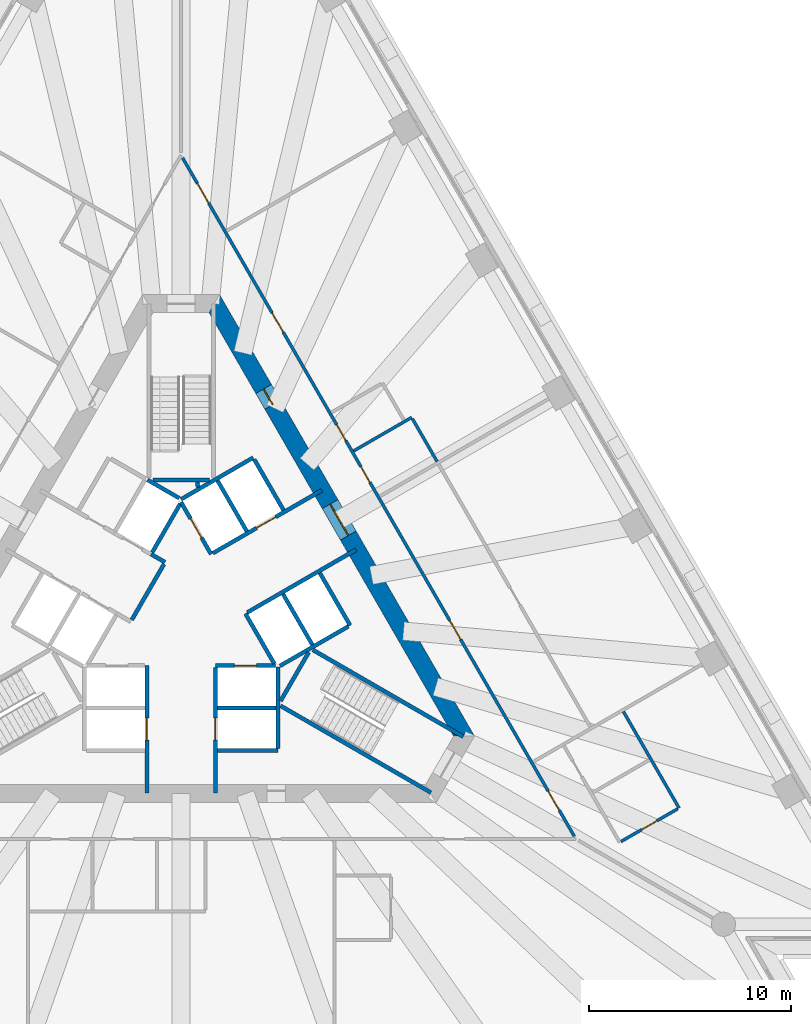
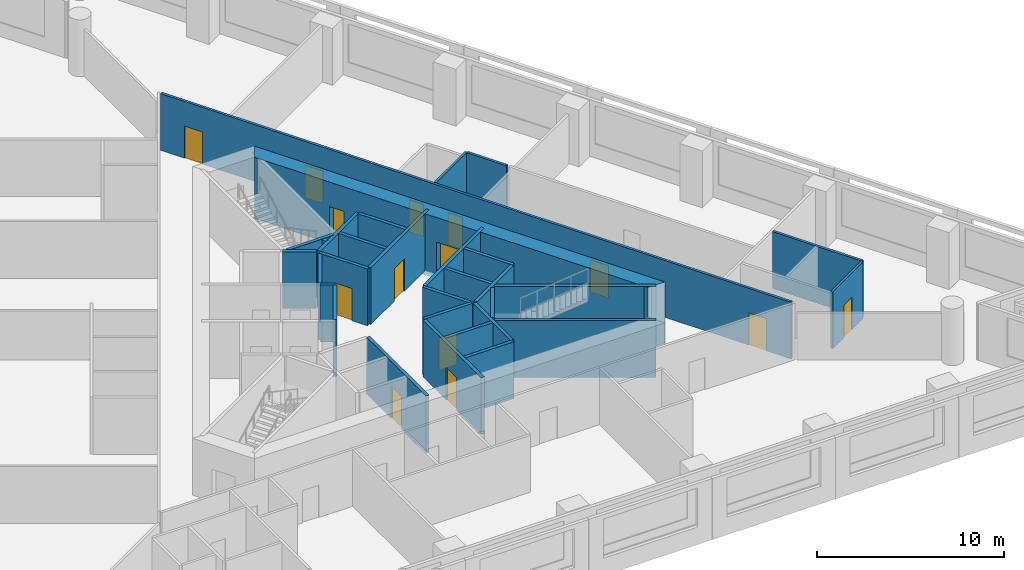
# One storey, part 6 of 11: 31 walls, 14 doors, 14 openings.
"""IFC4 building model written with IfcOpenShell, lengths in metres."""

import ifcopenshell
import ifcopenshell.guid

model = None  # the IFC model being written
_history = None  # IfcOwnerHistory: only IFC2X3 demands one
_inside = {}  # id of a spatial element -> (the spatial element, [elements in it])
_under = {}  # id of a project, library or spatial element -> (it, [spatial elements below it])
_declared = {}  # id of a project -> (the project, [libraries it declares])
_typed = {}  # id of a type object -> (the type object, [elements of that type])
_made_of = {}  # id of a material, layer set ... -> (it, [elements and type objects made of it])


def new_model(schema):
    """Start an empty IFC model of exactly this schema.

    Asked for "IFC4X3", IfcOpenShell would pick the latest addendum, in which some entities
    have other attributes; the version numbers below select the first issue.
    IFC2X3 requires an IfcOwnerHistory on every rooted entity: one is made here for all.
    """
    global model, _history
    if schema == "IFC4X3":
        model = ifcopenshell.file(schema_version=(4, 3, 0, 0))
    else:
        model = ifcopenshell.file(schema=schema)
    _inside.clear()
    _under.clear()
    _declared.clear()
    _typed.clear()
    _made_of.clear()
    _history = None
    if model.schema == "IFC2X3":
        org = make("IfcOrganization", Name="unknown")
        user = make(
            "IfcPersonAndOrganization",
            ThePerson=make("IfcPerson", FamilyName="unknown"),
            TheOrganization=org,
        )
        app = make(
            "IfcApplication",
            ApplicationDeveloper=org,
            Version="unknown",
            ApplicationFullName="unknown",
            ApplicationIdentifier="unknown",
        )
        _history = make(
            "IfcOwnerHistory",
            OwningUser=user,
            OwningApplication=app,
            ChangeAction="ADDED",
            CreationDate=0,
        )
    return model


def make(cls, **values):
    """One entity of the class cls with the attributes given. An attribute that is None is left unset."""
    return model.create_entity(
        cls, **{name: value for name, value in values.items() if value is not None}
    )


def rooted(cls, **values):
    """An entity with a GlobalId (a new one), such as an element, a storey or a relation."""
    return make(cls, GlobalId=ifcopenshell.guid.new(), OwnerHistory=_history, **values)


def si_unit(unit_type, name, prefix=None):
    """IfcSIUnit, for example si_unit("LENGTHUNIT", "METRE", prefix="MILLI")."""
    return make("IfcSIUnit", UnitType=unit_type, Prefix=prefix, Name=name)


def assignment(units):
    """IfcUnitAssignment: the units of a project."""
    return None if units is None else make("IfcUnitAssignment", Units=units)


def point(xyz):
    """IfcCartesianPoint."""
    return None if xyz is None else make("IfcCartesianPoint", Coordinates=xyz)


def direction(xyz):
    """IfcDirection."""
    return None if xyz is None else make("IfcDirection", DirectionRatios=xyz)


def frame(location, z_axis=None, x_axis=None):
    """IfcAxis2Placement3D, a coordinate frame: its origin and axes. An axis left out is left unset."""
    return make(
        "IfcAxis2Placement3D",
        Location=point(location),
        Axis=direction(z_axis),
        RefDirection=direction(x_axis),
    )


def frame_2d(location, x_axis=None):
    """IfcAxis2Placement2D, a coordinate frame in the plane: its origin and x axis."""
    return make(
        "IfcAxis2Placement2D", Location=point(location), RefDirection=direction(x_axis)
    )


def origin():
    """The frame at (0, 0, 0) with its axes left unset."""
    return frame((0.0, 0.0, 0.0))


def place(relative_to, where):
    """IfcLocalPlacement: puts the frame where relative to a parent placement (None: the world)."""
    return make(
        "IfcLocalPlacement", PlacementRelTo=relative_to, RelativePlacement=where
    )


def context(
    kind, dimensions, precision=None, world=None, true_north=None, identifier=None
):
    """IfcGeometricRepresentationContext, for example the 3D "Model" context."""
    return make(
        "IfcGeometricRepresentationContext",
        ContextIdentifier=identifier,
        ContextType=kind,
        CoordinateSpaceDimension=dimensions,
        Precision=precision,
        WorldCoordinateSystem=world,
        TrueNorth=true_north,
    )


def subcontext(parent, identifier, kind, view, scale=None):
    """IfcGeometricRepresentationSubContext, for example "Body" below "Model"."""
    return make(
        "IfcGeometricRepresentationSubContext",
        ContextIdentifier=identifier,
        ContextType=kind,
        ParentContext=parent,
        TargetScale=scale,
        TargetView=view,
    )


def project(units=None, contexts=None):
    """IfcProject with its units and contexts."""
    return rooted(
        "IfcProject",
        Name="project",
        RepresentationContexts=contexts,
        UnitsInContext=assignment(units),
    )


def spatial(cls, under=None, at=None, **own):
    """A site, building, storey or space (cls), placed at a placement, below another one or the project."""
    s = rooted(cls, ObjectPlacement=at, **own)
    if under is not None:
        _under.setdefault(under.id(), (under, []))[1].append(s)
    return s


def polyline(points):
    """IfcPolyline through the points."""
    return make("IfcPolyline", Points=[point(p) for p in points])


def profile(cls, at=None, kind="AREA", **sizes):
    """A parametric profile (cls). Its sizes go by their IFC names, for example OverallWidth=200.0."""
    return make(cls, ProfileType=kind, Position=at, **sizes)


def rectangle(**sizes):
    """IfcRectangleProfileDef."""
    return profile("IfcRectangleProfileDef", **sizes)


def outline(outer, holes=None, kind="AREA"):
    """IfcArbitraryClosedProfileDef: a profile drawn as a closed curve; with holes, ...WithVoids."""
    if holes is None:
        return make("IfcArbitraryClosedProfileDef", ProfileType=kind, OuterCurve=outer)
    return make(
        "IfcArbitraryProfileDefWithVoids",
        ProfileType=kind,
        OuterCurve=outer,
        InnerCurves=holes,
    )


def extrude(swept, where, along, depth):
    """IfcExtrudedAreaSolid: the profile swept, set in the frame where, extruded along a direction by depth."""
    return make(
        "IfcExtrudedAreaSolid",
        SweptArea=swept,
        Position=where,
        ExtrudedDirection=direction(along),
        Depth=depth,
    )


def shape(context_of_items, identifier, shape_type, items):
    """IfcShapeRepresentation: the items that make up one representation, for example the "Body"."""
    return make(
        "IfcShapeRepresentation",
        ContextOfItems=context_of_items,
        RepresentationIdentifier=identifier,
        RepresentationType=shape_type,
        Items=items,
    )


def material(Name=None, Category=None):
    """IfcMaterial."""
    return make("IfcMaterial", Name=Name, Category=Category)


def layer(
    of_material, thickness, ventilated=None, Name=None, Category=None, Priority=None
):
    """IfcMaterialLayer: one layer of a wall or slab, of a material (None: an air gap)."""
    return make(
        "IfcMaterialLayer",
        Material=of_material,
        LayerThickness=thickness,
        IsVentilated=ventilated,
        Name=Name,
        Category=Category,
        Priority=Priority,
    )


def layer_set(layers, Name=None):
    """IfcMaterialLayerSet."""
    return make("IfcMaterialLayerSet", MaterialLayers=layers, LayerSetName=Name)


def made_of(thing, what):
    """Note that an element or type object is made of a material, layer set ...; save() writes the relation."""
    if what is not None:
        _made_of.setdefault(what.id(), (what, []))[1].append(thing)
    return thing


def type_object(cls, material=None, **own):
    """A type object (cls), such as IfcWallType, which elements share."""
    return made_of(rooted(cls, **own), material)


def element(
    cls,
    number,
    at=None,
    inside=None,
    cuts=None,
    type_object=None,
    material=None,
    context=None,
    identifier="Body",
    shape_type=None,
    held_by="IfcProductDefinitionShape",
    body=None,
    shapes=None,
    **own,
):
    """One element of the class cls, such as IfcWall. Its Tag is "e" and its number.

    at: its placement. inside: the storey or other place that contains it. cuts: it is an
    opening in that element (IfcRelVoidsElement). A single representation is given by context,
    identifier, shape_type and body (its items); several are given by shapes. held_by: the class
    of the entity that holds the representations. save() writes the other relations.
    """
    e = rooted(cls, Tag="e%d" % number, ObjectPlacement=at, **own)
    if body is not None:
        shapes = [shape(context, identifier, shape_type, body)]
    if shapes is not None:
        e.Representation = make(held_by, Representations=shapes)
    if inside is not None:
        _inside.setdefault(inside.id(), (inside, []))[1].append(e)
    if cuts is not None:
        rooted(
            "IfcRelVoidsElement", RelatingBuildingElement=cuts, RelatedOpeningElement=e
        )
    if type_object is not None:
        _typed.setdefault(type_object.id(), (type_object, []))[1].append(e)
    return made_of(e, material)


def fill(opening, filler):
    """IfcRelFillsElement: the door or window that sits in an opening."""
    return rooted(
        "IfcRelFillsElement",
        RelatingOpeningElement=opening,
        RelatedBuildingElement=filler,
    )


def aggregate(whole, parts):
    """IfcRelAggregates: a whole, such as a stair, and the parts it consists of."""
    return rooted("IfcRelAggregates", RelatingObject=whole, RelatedObjects=parts)


def save(model, path):
    """Write the relations noted so far, then the file.

    IfcRelAggregates (storeys below a building ...), IfcRelContainedInSpatialStructure (elements
    in a storey), IfcRelDefinesByType, IfcRelAssociatesMaterial and IfcRelDeclares: one each for
    every whole, place, type object, material and project.
    """
    for whole, parts in _under.values():
        aggregate(whole, parts)
    for where, things in _inside.values():
        rooted(
            "IfcRelContainedInSpatialStructure",
            RelatedElements=things,
            RelatingStructure=where,
        )
    for kind, things in _typed.values():
        rooted("IfcRelDefinesByType", RelatedObjects=things, RelatingType=kind)
    for what, things in _made_of.values():
        rooted("IfcRelAssociatesMaterial", RelatedObjects=things, RelatingMaterial=what)
    for by, libraries in _declared.values():
        rooted("IfcRelDeclares", RelatingContext=by, RelatedDefinitions=libraries)
    model.write(path)


model = new_model("IFC4")

# Units and contexts
model_context = context("Model", 3, precision=1e-05, world=origin(), true_north=direction((0.0, 1.0)))
body_context = subcontext(model_context, "Body", "Model", "MODEL_VIEW")
ifc_project = project(units=[si_unit("LENGTHUNIT", "METRE"), si_unit("AREAUNIT", "SQUARE_METRE"), si_unit("VOLUMEUNIT", "CUBIC_METRE"), si_unit("PLANEANGLEUNIT", "RADIAN"), si_unit("MASSUNIT", "GRAM", prefix="KILO")], contexts=[model_context])

# Site, building, storey
site_placement = place(None, origin())
site = spatial("IfcSite", under=ifc_project, at=site_placement, CompositionType="ELEMENT")
building_placement = place(site_placement, origin())
building = spatial("IfcBuilding", under=site, at=building_placement, Name="Triada Interchange Tower", CompositionType="ELEMENT")
storey_placement = place(building_placement, frame((0.0, 0.0, 35.300048828125)))
storey = spatial("IfcBuildingStorey", under=building, at=storey_placement, Name="L06", CompositionType="ELEMENT", Elevation=35.300048828125)

# Walls
ifc_material_1 = material(Name="Concrete C30/37", Category="concrete")
ifc_layer_1 = layer(ifc_material_1, 0.199951171875)
ifc_layer_set_1 = layer_set([ifc_layer_1], Name="CORE WALL 200 EI 120")
wall_type_1 = type_object("IfcWallType", Name="CORE WALL 200 EI 120", PredefinedType="SOLIDWALL", material=ifc_layer_set_1)
wall_1_placement = place(storey_placement, frame((1.800048828125, -4.800048828125, 0.0), z_axis=(0.0, 0.0, 1.0), x_axis=(1.0, 0.0, 0.0)))
element("IfcWall", 1, at=wall_1_placement, inside=storey, type_object=wall_type_1, Name="Wall L06 49", PredefinedType="SOLIDWALL", context=body_context, shape_type="SweptSolid", body=[
    extrude(rectangle(XDim=2.89990234375, YDim=0.199951171875, at=frame_2d((1.449951171875, 0.0))), origin(), (0.0, 0.0, 1.0), 3.699951171875),
])
wall_2_placement = place(storey_placement, frame((1.800048828125, -6.89990234375, 0.0), z_axis=(0.0, 0.0, 1.0), x_axis=(1.0, 0.0, 0.0)))
element("IfcWall", 2, at=wall_2_placement, inside=storey, type_object=wall_type_1, Name="Wall L06 52", PredefinedType="SOLIDWALL", context=body_context, shape_type="SweptSolid", body=[
    extrude(rectangle(XDim=3.0, YDim=0.199951171875, at=frame_2d((1.5, 0.0))), origin(), (0.0, 0.0, 1.0), 3.699951171875),
])

# Wall, opening, door
wall_3_placement = place(storey_placement, frame((-1.699951171875, -9.030029296875, 0.0), z_axis=(0.0, 0.0, 1.0), x_axis=(0.0, 1.0, 0.0)))
wall_3 = element("IfcWall", 3, at=wall_3_placement, inside=storey, type_object=wall_type_1, Name="Wall L06 53", PredefinedType="SOLIDWALL", context=body_context, shape_type="SweptSolid", body=[
    extrude(rectangle(XDim=6.3271484375, YDim=0.199951171875, at=frame_2d((3.16357421875, 0.0))), origin(), (0.0, 0.0, 1.0), 3.699951171875),
])
opening_1_placement = place(wall_3_placement, frame((2.6298828125, 0.0, 0.0)))
opening_1 = element("IfcOpeningElement", 4, at=opening_1_placement, cuts=wall_3, Name="Opening LD-LR4", PredefinedType="OPENING", context=body_context, shape_type="SweptSolid", body=[
    extrude(rectangle(XDim=1.10009765625, YDim=2.10009765625, at=frame_2d((0.550048828125, 1.050048828125))), frame((0.0, 0.10986328125, 0.0), z_axis=(0.0, -1.0, 0.0), x_axis=(1.0, 0.0, 0.0)), (0.0, 0.0, 1.0), 0.219970703125),
])
ifc_material_2 = material(Name="Steel S235 door leaf", Category="steel")
door_type_1 = type_object("IfcDoorType", Name="LIFT LANDING DOOR 1100 EI 120", OperationType="SLIDING_TO_LEFT", PredefinedType="DOOR", material=ifc_material_2)
door_1_placement = place(opening_1_placement, origin())
door_1 = element("IfcDoor", 5, at=door_1_placement, inside=storey, type_object=door_type_1, Name="LR4 landing door L06", OperationType="SLIDING_TO_LEFT", OverallHeight=2.10009765625, OverallWidth=1.10009765625, PredefinedType="DOOR", context=body_context, shape_type="SweptSolid", body=[
    extrude(rectangle(XDim=1.10009765625, YDim=2.10009765625, at=frame_2d((0.550048828125, 1.050048828125))), frame((0.0, 0.02490234375, 0.0), z_axis=(0.0, -1.0, 0.0), x_axis=(1.0, 0.0, 0.0)), (0.0, 0.0, 1.0), 0.050048828125),
])
fill(opening_1, door_1)

wall_4_placement = place(storey_placement, frame((1.702880859375, -2.699951171875, 0.0), z_axis=(0.0, 0.0, 1.0), x_axis=(1.0, 0.0, 0.0)))
wall_4 = element("IfcWall", 6, at=wall_4_placement, inside=storey, type_object=wall_type_1, Name="Wall L06 55", PredefinedType="SOLIDWALL", context=body_context, shape_type="SweptSolid", body=[
    extrude(rectangle(XDim=2.97314453125, YDim=0.199951171875, at=frame_2d((1.486572265625, 0.0))), origin(), (0.0, 0.0, 1.0), 3.699951171875),
])
opening_2_placement = place(wall_4_placement, frame((0.93603515625, 0.0, 0.0)))
opening_2 = element("IfcOpeningElement", 7, at=opening_2_placement, cuts=wall_4, Name="Opening LD-LR1", PredefinedType="OPENING", context=body_context, shape_type="SweptSolid", body=[
    extrude(rectangle(XDim=1.10009765625, YDim=2.10009765625, at=frame_2d((0.550048828125, 1.050048828125))), frame((0.0, 0.10986328125, 0.0), z_axis=(0.0, -1.0, 0.0), x_axis=(1.0, 0.0, 0.0)), (0.0, 0.0, 1.0), 0.219970703125),
])
door_2_placement = place(opening_2_placement, origin())
door_2 = element("IfcDoor", 8, at=door_2_placement, inside=storey, type_object=door_type_1, Name="LR1 landing door L06", OperationType="SLIDING_TO_LEFT", OverallHeight=2.10009765625, OverallWidth=1.10009765625, PredefinedType="DOOR", context=body_context, shape_type="SweptSolid", body=[
    extrude(rectangle(XDim=1.10009765625, YDim=2.10009765625, at=frame_2d((0.550048828125, 1.050048828125))), frame((0.0, 0.02490234375, 0.0), z_axis=(0.0, -1.0, 0.0), x_axis=(1.0, 0.0, 0.0)), (0.0, 0.0, 1.0), 0.050048828125),
])
fill(opening_2, door_2)

# Wall
wall_5_placement = place(storey_placement, frame((-0.001953125, 5.541015625, 0.0), z_axis=(0.0, 0.0, 1.0), x_axis=(0.86600155993, 0.500041296494, 0.0)))
element("IfcWall", 9, at=wall_5_placement, inside=storey, type_object=wall_type_1, Name="Wall L06 56", PredefinedType="SOLIDWALL", context=body_context, shape_type="SweptSolid", body=[
    extrude(rectangle(XDim=4.131591796875, YDim=0.199951171875, at=frame_2d((2.06591796875, 0.0))), origin(), (0.0, 0.0, 1.0), 3.699951171875),
])

# Wall, opening, door
wall_6_placement = place(storey_placement, frame((0.0, 5.39990234375, 0.0), z_axis=(0.0, 0.0, 1.0), x_axis=(0.500103862429, -0.865965430478, 0.0)))
wall_6 = element("IfcWall", 10, at=wall_6_placement, inside=storey, type_object=wall_type_1, Name="Wall L06 57", PredefinedType="SOLIDWALL", context=body_context, shape_type="SweptSolid", body=[
    extrude(rectangle(XDim=2.973388671875, YDim=0.199951171875, at=frame_2d((1.48681640625, 0.0))), origin(), (0.0, 0.0, 1.0), 3.699951171875),
])
opening_3_placement = place(wall_6_placement, frame((0.93701171875, 0.0, 0.0)))
opening_3 = element("IfcOpeningElement", 11, at=opening_3_placement, cuts=wall_6, Name="Opening LD-LR5", PredefinedType="OPENING", context=body_context, shape_type="SweptSolid", body=[
    extrude(rectangle(XDim=1.10009765625, YDim=2.10009765625, at=frame_2d((0.550048828125, 1.050048828125))), frame((0.0, 0.10986328125, 0.0), z_axis=(0.0, -1.0, 0.0), x_axis=(1.0, 0.0, 0.0)), (0.0, 0.0, 1.0), 0.219970703125),
])
door_3_placement = place(opening_3_placement, origin())
door_3 = element("IfcDoor", 12, at=door_3_placement, inside=storey, type_object=door_type_1, Name="LR5 landing door L06", OperationType="SLIDING_TO_LEFT", OverallHeight=2.10009765625, OverallWidth=1.10009765625, PredefinedType="DOOR", context=body_context, shape_type="SweptSolid", body=[
    extrude(rectangle(XDim=1.10009765625, YDim=2.10009765625, at=frame_2d((0.550048828125, 1.050048828125))), frame((0.0, 0.02490234375, 0.0), z_axis=(0.0, -1.0, 0.0), x_axis=(1.0, 0.0, 0.0)), (0.0, 0.0, 1.0), 0.050048828125),
])
fill(opening_3, door_3)

# Wall
wall_7_placement = place(storey_placement, frame((3.18994140625, -0.125, 0.0), z_axis=(0.0, 0.0, 1.0), x_axis=(0.499988658015, -0.866031951983, 0.0)))
element("IfcWall", 13, at=wall_7_placement, inside=storey, type_object=wall_type_1, Name="Wall L06 58", PredefinedType="SOLIDWALL", context=body_context, shape_type="SweptSolid", body=[
    extrude(rectangle(XDim=2.85791015625, YDim=0.199951171875, at=frame_2d((1.428955078125, 0.0))), origin(), (0.0, 0.0, 1.0), 3.699951171875),
])

# Wall, opening, door
wall_8_placement = place(storey_placement, frame((1.577880859375, 2.8740234375, 0.0), z_axis=(0.0, 0.0, 1.0), x_axis=(0.866031483044, 0.499989470266, 0.0)))
wall_8 = element("IfcWall", 14, at=wall_8_placement, inside=storey, type_object=wall_type_1, Name="Wall L06 59", PredefinedType="SOLIDWALL", context=body_context, shape_type="SweptSolid", body=[
    extrude(rectangle(XDim=6.226318359375, YDim=0.199951171875, at=frame_2d((3.11328125, 0.0))), origin(), (0.0, 0.0, 1.0), 3.699951171875),
])
opening_4_placement = place(wall_8_placement, frame((2.49609375, 0.0, 0.0)))
opening_4 = element("IfcOpeningElement", 15, at=opening_4_placement, cuts=wall_8, Name="Opening LD-LR6", PredefinedType="OPENING", context=body_context, shape_type="SweptSolid", body=[
    extrude(rectangle(XDim=1.10009765625, YDim=2.10009765625, at=frame_2d((0.550048828125, 1.050048828125))), frame((0.0, 0.10986328125, 0.0), z_axis=(0.0, -1.0, 0.0), x_axis=(1.0, 0.0, 0.0)), (0.0, 0.0, 1.0), 0.219970703125),
])
door_4_placement = place(opening_4_placement, origin())
door_4 = element("IfcDoor", 16, at=door_4_placement, inside=storey, type_object=door_type_1, Name="LR6 landing door L06", OperationType="SLIDING_TO_LEFT", OverallHeight=2.10009765625, OverallWidth=1.10009765625, PredefinedType="DOOR", context=body_context, shape_type="SweptSolid", body=[
    extrude(rectangle(XDim=1.10009765625, YDim=2.10009765625, at=frame_2d((0.550048828125, 1.050048828125))), frame((0.0, 0.02490234375, 0.0), z_axis=(0.0, -1.0, 0.0), x_axis=(1.0, 0.0, 0.0)), (0.0, 0.0, 1.0), 0.050048828125),
])
fill(opening_4, door_4)

wall_9_placement = place(storey_placement, frame((1.699951171875, -9.030029296875, 0.0), z_axis=(0.0, 0.0, 1.0), x_axis=(0.0, 1.0, 0.0)))
wall_9 = element("IfcWall", 17, at=wall_9_placement, inside=storey, type_object=wall_type_1, Name="Wall L06 60", PredefinedType="SOLIDWALL", context=body_context, shape_type="SweptSolid", body=[
    extrude(rectangle(XDim=6.22705078125, YDim=0.199951171875, at=frame_2d((3.113525390625, 0.0))), origin(), (0.0, 0.0, 1.0), 3.699951171875),
])
opening_5_placement = place(wall_9_placement, frame((2.6298828125, 0.0, 0.0)))
opening_5 = element("IfcOpeningElement", 18, at=opening_5_placement, cuts=wall_9, Name="Opening LD-LR2", PredefinedType="OPENING", context=body_context, shape_type="SweptSolid", body=[
    extrude(rectangle(XDim=1.10009765625, YDim=2.10009765625, at=frame_2d((0.550048828125, 1.050048828125))), frame((0.0, 0.10986328125, 0.0), z_axis=(0.0, -1.0, 0.0), x_axis=(1.0, 0.0, 0.0)), (0.0, 0.0, 1.0), 0.219970703125),
])
door_5_placement = place(opening_5_placement, origin())
door_5 = element("IfcDoor", 19, at=door_5_placement, inside=storey, type_object=door_type_1, Name="LR2 landing door L06", OperationType="SLIDING_TO_LEFT", OverallHeight=2.10009765625, OverallWidth=1.10009765625, PredefinedType="DOOR", context=body_context, shape_type="SweptSolid", body=[
    extrude(rectangle(XDim=1.10009765625, YDim=2.10009765625, at=frame_2d((0.550048828125, 1.050048828125))), frame((0.0, 0.02490234375, 0.0), z_axis=(0.0, -1.0, 0.0), x_axis=(1.0, 0.0, 0.0)), (0.0, 0.0, 1.0), 0.050048828125),
])
fill(opening_5, door_5)

# Walls
wall_10_placement = place(storey_placement, frame((4.800048828125, -6.800048828125, 0.0), z_axis=(0.0, 0.0, 1.0), x_axis=(0.0, 1.0, 0.0)))
element("IfcWall", 20, at=wall_10_placement, inside=storey, type_object=wall_type_1, Name="Wall L06 61", PredefinedType="SOLIDWALL", context=body_context, shape_type="SweptSolid", body=[
    extrude(rectangle(XDim=4.029052734375, YDim=0.199951171875, at=frame_2d((2.0146484375, 0.0))), origin(), (0.0, 0.0, 1.0), 3.699951171875),
])
wall_11_placement = place(storey_placement, frame((3.278076171875, -0.071044921875, 0.0), z_axis=(0.0, 0.0, 1.0), x_axis=(0.865953757655, 0.500124074208, 0.0)))
element("IfcWall", 21, at=wall_11_placement, inside=storey, type_object=wall_type_1, Name="Wall L06 62", PredefinedType="SOLIDWALL", context=body_context, shape_type="SweptSolid", body=[
    extrude(rectangle(XDim=6.2265625, YDim=0.199951171875, at=frame_2d((3.11328125, 0.0))), origin(), (0.0, 0.0, 1.0), 3.699951171875),
])
wall_12_placement = place(storey_placement, frame((3.6259765625, 7.52001953125, 0.0), z_axis=(0.0, 0.0, 1.0), x_axis=(0.500060147554, -0.865990674793, 0.0)))
element("IfcWall", 22, at=wall_12_placement, inside=storey, type_object=wall_type_1, Name="Wall L06 63", PredefinedType="SOLIDWALL", context=body_context, shape_type="SweptSolid", body=[
    extrude(rectangle(XDim=2.899658203125, YDim=0.199951171875, at=frame_2d((1.44970703125, 0.0))), origin(), (0.0, 0.0, 1.0), 3.699951171875),
])
wall_13_placement = place(storey_placement, frame((6.8759765625, 1.89111328125, 0.0), z_axis=(0.0, 0.0, 1.0), x_axis=(0.499990139034, -0.866031096941, 0.0)))
element("IfcWall", 23, at=wall_13_placement, inside=storey, type_object=wall_type_1, Name="Wall L06 64", PredefinedType="SOLIDWALL", context=body_context, shape_type="SweptSolid", body=[
    extrude(rectangle(XDim=3.0, YDim=0.199951171875, at=frame_2d((1.5, 0.0))), origin(), (0.0, 0.0, 1.0), 3.699951171875),
])
for number, where, z_axis, x_axis, name in (
    (24, (1.806884765625, 6.469970703125, 0.0), (0.0, 0.0, 1.0), (0.50012328804, -0.865954211699, 0.0), "Wall L06 65"),
    (25, (5.056884765625, 0.841064453125, 0.0), (0.0, 0.0, 1.0), (0.50012328804, -0.865954211699, 0.0), "Wall L06 66"),
):
    element("IfcWall", number, at=place(storey_placement, frame(where, z_axis=z_axis, x_axis=x_axis)), inside=storey, type_object=wall_type_1, Name=name, PredefinedType="SOLIDWALL", context=body_context, shape_type="SweptSolid", body=[
        extrude(rectangle(XDim=2.899658203125, YDim=0.199951171875, at=frame_2d((1.44970703125, 0.0))), origin(), (0.0, 0.0, 1.0), 3.699951171875),
    ])
wall_14_placement = place(storey_placement, frame((4.89990234375, -2.714111328125, 0.0), z_axis=(0.0, 0.0, 1.0), x_axis=(0.865992350556, 0.500057245502, 0.0)))
element("IfcWall", 26, at=wall_14_placement, inside=storey, type_object=wall_type_1, Name="Wall L06 67", PredefinedType="SOLIDWALL", context=body_context, shape_type="SweptSolid", body=[
    extrude(rectangle(XDim=3.91357421875, YDim=0.199951171875, at=frame_2d((1.956787109375, 0.0))), origin(), (0.0, 0.0, 1.0), 3.699951171875),
])
ifc_layer_2 = layer(ifc_material_1, 0.199951171875)
ifc_layer_set_2 = layer_set([ifc_layer_2], Name="CORE WALL 200 EI 180")
wall_type_2 = type_object("IfcWallType", Name="CORE WALL 200 EI 180", PredefinedType="SOLIDWALL", material=ifc_layer_set_2)
wall_15_placement = place(storey_placement, frame((-1.488037109375, 2.822021484375, 0.0), z_axis=(0.0, 0.0, 1.0), x_axis=(0.866236612152, -0.499633997809, 0.0)))
element("IfcWall", 27, at=wall_15_placement, inside=storey, type_object=wall_type_2, Name="Wall L06 71", PredefinedType="SOLIDWALL", context=body_context, shape_type="SweptSolid", body=[
    extrude(rectangle(XDim=0.79638671875, YDim=0.199951171875, at=frame_2d((0.398193359375, 0.0))), origin(), (0.0, 0.0, 1.0), 3.699951171875),
])
wall_16_placement = place(storey_placement, frame((-2.444091796875, -0.43310546875, 0.0), z_axis=(0.0, 0.0, 1.0), x_axis=(0.500035624827, 0.866004834804, 0.0)))
element("IfcWall", 28, at=wall_16_placement, inside=storey, type_object=wall_type_2, Name="Wall L06 74", PredefinedType="SOLIDWALL", context=body_context, shape_type="SweptSolid", body=[
    extrude(rectangle(XDim=3.194091796875, YDim=0.199951171875, at=frame_2d((1.59716796875, 0.0))), origin(), (0.0, 0.0, 1.0), 3.699951171875),
])
wall_17_placement = place(storey_placement, frame((-1.669921875, 6.507080078125, 0.0), z_axis=(0.0, 0.0, 1.0), x_axis=(0.865941441609, -0.500145398563, 0.0)))
element("IfcWall", 29, at=wall_17_placement, inside=storey, type_object=wall_type_2, Name="Shaft wall FF2 L06 81", PredefinedType="SOLIDWALL", context=body_context, shape_type="SweptSolid", body=[
    extrude(rectangle(XDim=1.8154296875, YDim=0.199951171875, at=frame_2d((0.90771484375, 0.0))), origin(), (0.0, 0.0, 1.0), 3.699951171875),
])
wall_18_placement = place(storey_placement, frame((-1.43798828125, 2.908935546875, 0.0), z_axis=(0.0, 0.0, 1.0), x_axis=(0.499829630636, 0.866123744241, 0.0)))
element("IfcWall", 30, at=wall_18_placement, inside=storey, type_object=wall_type_2, Name="Shaft wall FF2 L06 82", PredefinedType="SOLIDWALL", context=body_context, shape_type="SweptSolid", body=[
    extrude(rectangle(XDim=2.7607421875, YDim=0.199951171875, at=frame_2d((1.38037109375, 0.0))), origin(), (0.0, 0.0, 1.0), 3.699951171875),
])
ifc_layer_3 = layer(ifc_material_1, 0.199951171875)
ifc_layer_set_3 = layer_set([ifc_layer_3], Name="CORE WALL 200 EI 90")
wall_type_3 = type_object("IfcWallType", Name="CORE WALL 200 EI 90", PredefinedType="SOLIDWALL", material=ifc_layer_set_3)
wall_19_placement = place(storey_placement, frame((0.81103515625, 6.39990234375, 0.0), z_axis=(0.0, 0.0, 1.0), x_axis=(0.076199063602, -0.997092624938, 0.0)))
element("IfcWall", 31, at=wall_19_placement, inside=storey, type_object=wall_type_3, Name="Wall L06 83", PredefinedType="SOLIDWALL", context=body_context, shape_type="SweptSolid", body=[
    extrude(rectangle(XDim=0.2626953125, YDim=0.199951171875, at=frame_2d((0.13134765625, 0.0))), origin(), (0.0, 0.0, 1.0), 3.699951171875),
])
ifc_layer_4 = layer(ifc_material_1, 0.199951171875)
ifc_layer_set_4 = layer_set([ifc_layer_4], Name="CORE WALL 200 REI 240")
wall_type_4 = type_object("IfcWallType", Name="CORE WALL 200 REI 240", PredefinedType="SOLIDWALL", material=ifc_layer_set_4)
wall_20_placement = place(storey_placement, frame((-1.39990234375, 6.5, 0.0), z_axis=(0.0, 0.0, 1.0), x_axis=(1.0, 0.0, 0.0)))
element("IfcWall", 32, at=wall_20_placement, inside=storey, type_object=wall_type_4, Name="Wall L06 88", PredefinedType="SOLIDWALL", context=body_context, shape_type="SweptSolid", body=[
    extrude(rectangle(XDim=2.7998046875, YDim=0.199951171875, at=frame_2d((1.39990234375, 0.0))), origin(), (0.0, 0.0, 1.0), 3.699951171875),
])
wall_21_placement = place(storey_placement, frame((4.928955078125, -4.693115234375, 0.0), z_axis=(0.0, 0.0, 1.0), x_axis=(0.866010975815, -0.500024989144, 0.0)))
element("IfcWall", 33, at=wall_21_placement, inside=storey, type_object=wall_type_4, Name="Wall L06 90", PredefinedType="SOLIDWALL", context=body_context, shape_type="SweptSolid", body=[
    extrude(rectangle(XDim=8.615234375, YDim=0.199951171875, at=frame_2d((4.3076171875, 0.0))), origin(), (0.0, 0.0, 1.0), 3.699951171875),
])
wall_22_placement = place(storey_placement, frame((4.928955078125, -4.4619140625, 0.0), z_axis=(0.0, 0.0, 1.0), x_axis=(0.500200581029, 0.865909567298, 0.0)))
element("IfcWall", 34, at=wall_22_placement, inside=storey, type_object=wall_type_4, Name="Wall L06 91", PredefinedType="SOLIDWALL", context=body_context, shape_type="SweptSolid", body=[
    extrude(rectangle(XDim=2.799072265625, YDim=0.199951171875, at=frame_2d((1.3994140625, 0.0))), origin(), (0.0, 0.0, 1.0), 3.699951171875),
])
wall_23_placement = place(storey_placement, frame((6.529052734375, -1.922119140625, 0.0), z_axis=(0.0, 0.0, 1.0), x_axis=(0.866060059011, -0.499939970583, 0.0)))
element("IfcWall", 35, at=wall_23_placement, inside=storey, type_object=wall_type_4, Name="Wall L06 92", PredefinedType="SOLIDWALL", context=body_context, shape_type="SweptSolid", body=[
    extrude(rectangle(XDim=8.61474609375, YDim=0.199951171875, at=frame_2d((4.307373046875, 0.0))), origin(), (0.0, 0.0, 1.0), 3.699951171875),
])

# Wall, openings, doors
ifc_material_3 = material(Name="Concrete C70/85", Category="concrete")
ifc_layer_5 = layer(ifc_material_3, 0.89990234375)
ifc_layer_set_5 = layer_set([ifc_layer_5], Name="Core wall A 900")
wall_type_5 = type_object("IfcWallType", Name="Core wall A 900", PredefinedType="SHEAR", material=ifc_layer_set_5)
wall_24_placement = place(storey_placement, frame((14.030029296875, -6.199951171875, -0.300048828125), z_axis=(0.0, 0.0, 1.0), x_axis=(-0.500026485275, 0.866010111964, 0.0)))
wall_24 = element("IfcWall", 36, at=wall_24_placement, inside=storey, type_object=wall_type_5, Name="Core wall WA06 L06", PredefinedType="SHEAR", context=body_context, shape_type="SweptSolid", body=[
    extrude(outline(polyline([(-0.260009765625, -0.448974609375), (1.685302734375, -0.448974609375), (3.63037109375, -0.44921875), (5.57568359375, -0.44921875), (7.52099609375, -0.44921875), (9.466064453125, -0.449462890625), (11.411376953125, -0.449462890625), (13.356689453125, -0.449462890625), (15.302001953125, -0.449462890625), (17.2470703125, -0.44970703125), (19.1923828125, -0.44970703125), (21.1376953125, -0.44970703125), (23.082763671875, -0.449951171875), (25.028076171875, -0.449951171875), (24.509033203125, 0.448974609375), (22.643798828125, 0.448974609375), (20.7783203125, 0.44921875), (18.9130859375, 0.44921875), (17.0478515625, 0.44921875), (15.182373046875, 0.449462890625), (13.317138671875, 0.449462890625), (11.451904296875, 0.449462890625), (9.586669921875, 0.449462890625), (7.72119140625, 0.44970703125), (5.85595703125, 0.44970703125), (3.99072265625, 0.44970703125), (2.125244140625, 0.449951171875), (0.260009765625, 0.449951171875), (-0.260009765625, -0.448974609375)])), origin(), (0.0, 0.0, 1.0), 4.0),
])
opening_6_placement = place(wall_24_placement, frame((11.48388671875, 0.0, 0.300048828125)))
opening_6 = element("IfcOpeningElement", 37, at=opening_6_placement, cuts=wall_24, Name="Opening D06-40", PredefinedType="OPENING", context=body_context, shape_type="SweptSolid", body=[
    extrude(rectangle(XDim=1.800048828125, YDim=2.10009765625, at=frame_2d((0.89990234375, 1.050048828125))), frame((0.0, 0.4599609375, 0.0), z_axis=(0.0, -1.0, 0.0), x_axis=(1.0, 0.0, 0.0)), (0.0, 0.0, 1.0), 0.919921875),
])
opening_7_placement = place(wall_24_placement, frame((18.97607421875, 0.0, 0.300048828125)))
opening_7 = element("IfcOpeningElement", 38, at=opening_7_placement, cuts=wall_24, Name="Opening D06-47", PredefinedType="OPENING", context=body_context, shape_type="SweptSolid", body=[
    extrude(rectangle(XDim=0.89990234375, YDim=2.10009765625, at=frame_2d((0.449951171875, 1.050048828125))), frame((0.0, 0.4599609375, 0.0), z_axis=(0.0, -1.0, 0.0), x_axis=(1.0, 0.0, 0.0)), (0.0, 0.0, 1.0), 0.919921875),
])
door_type_2 = type_object("IfcDoorType", Name="LOBBY DOOR 1800 EI2 90-C5S200", OperationType="DOUBLE_DOOR_SINGLE_SWING", PredefinedType="DOOR", material=ifc_material_2)
door_6_placement = place(opening_6_placement, origin())
door_6 = element("IfcDoor", 39, at=door_6_placement, inside=storey, type_object=door_type_2, Name="Door D06-40 L06", OperationType="DOUBLE_DOOR_SINGLE_SWING", OverallHeight=2.10009765625, OverallWidth=1.800048828125, PredefinedType="DOOR", context=body_context, shape_type="SweptSolid", body=[
    extrude(rectangle(XDim=1.800048828125, YDim=2.10009765625, at=frame_2d((0.89990234375, 1.050048828125))), frame((0.0, 0.02490234375, 0.0), z_axis=(0.0, -1.0, 0.0), x_axis=(1.0, 0.0, 0.0)), (0.0, 0.0, 1.0), 0.050048828125),
])
fill(opening_6, door_6)
door_type_3 = type_object("IfcDoorType", Name="RISER ACCESS DOOR 900 EI2 45-C5S200", OperationType="NOTDEFINED", PredefinedType="DOOR", material=ifc_material_2)
door_7_placement = place(opening_7_placement, origin())
door_7 = element("IfcDoor", 40, at=door_7_placement, inside=storey, type_object=door_type_3, Name="Door D06-47 L06", OperationType="SINGLE_SWING_LEFT", OverallHeight=2.10009765625, OverallWidth=0.89990234375, PredefinedType="DOOR", context=body_context, shape_type="SweptSolid", body=[
    extrude(rectangle(XDim=0.89990234375, YDim=2.10009765625, at=frame_2d((0.449951171875, 1.050048828125))), frame((0.0, 0.02490234375, 0.0), z_axis=(0.0, -1.0, 0.0), x_axis=(1.0, 0.0, 0.0)), (0.0, 0.0, 1.0), 0.050048828125),
])
fill(opening_7, door_7)

ifc_material_4 = material(Name="Gypsum board partition")
ifc_layer_6 = layer(ifc_material_4, 0.14990234375)
ifc_layer_set_6 = layer_set([ifc_layer_6], Name="PARTITION 150 EI 180")
wall_type_6 = type_object("IfcWallType", Name="PARTITION 150 EI 180", PredefinedType="PARTITIONING", material=ifc_layer_set_6)
wall_25_placement = place(storey_placement, frame((0.074951171875, 22.469970703125, 0.0), z_axis=(0.0, 0.0, 1.0), x_axis=(0.500002280369, -0.866024087209, 0.0)))
wall_25 = element("IfcWall", 41, at=wall_25_placement, inside=storey, type_object=wall_type_6, Name="Wall L06 25", PredefinedType="PARTITIONING", context=body_context, shape_type="SweptSolid", body=[
    extrude(rectangle(XDim=38.843994140625, YDim=0.14990234375, at=frame_2d((19.421875, 0.0))), origin(), (0.0, 0.0, 1.0), 3.699951171875),
])
opening_8_placement = place(wall_25_placement, frame((36.243896484375, 0.0, 0.0)))
opening_8 = element("IfcOpeningElement", 42, at=opening_8_placement, cuts=wall_25, Name="Opening D06-22", PredefinedType="OPENING", context=body_context, shape_type="SweptSolid", body=[
    extrude(rectangle(XDim=1.10009765625, YDim=2.10009765625, at=frame_2d((0.550048828125, 1.050048828125))), frame((0.0, 0.0849609375, 0.0), z_axis=(0.0, -1.0, 0.0), x_axis=(1.0, 0.0, 0.0)), (0.0, 0.0, 1.0), 0.169921875),
])
opening_9_placement = place(wall_25_placement, frame((26.471923828125, 0.0, 0.0)))
opening_9 = element("IfcOpeningElement", 43, at=opening_9_placement, cuts=wall_25, Name="Opening D06-25", PredefinedType="OPENING", context=body_context, shape_type="SweptSolid", body=[
    extrude(rectangle(XDim=1.10009765625, YDim=2.10009765625, at=frame_2d((0.550048828125, 1.050048828125))), frame((0.0, 0.0849609375, 0.0), z_axis=(0.0, -1.0, 0.0), x_axis=(1.0, 0.0, 0.0)), (0.0, 0.0, 1.0), 0.169921875),
])
opening_10_placement = place(wall_25_placement, frame((8.8720703125, 0.0, 0.0)))
opening_10 = element("IfcOpeningElement", 44, at=opening_10_placement, cuts=wall_25, Name="Opening D06-27", PredefinedType="OPENING", context=body_context, shape_type="SweptSolid", body=[
    extrude(rectangle(XDim=1.10009765625, YDim=2.10009765625, at=frame_2d((0.550048828125, 1.050048828125))), frame((0.0, 0.0849609375, 0.0), z_axis=(0.0, -1.0, 0.0), x_axis=(1.0, 0.0, 0.0)), (0.0, 0.0, 1.0), 0.169921875),
])
opening_11_placement = place(wall_25_placement, frame((17.672119140625, 0.0, 0.0)))
opening_11 = element("IfcOpeningElement", 45, at=opening_11_placement, cuts=wall_25, Name="Opening D06-28", PredefinedType="OPENING", context=body_context, shape_type="SweptSolid", body=[
    extrude(rectangle(XDim=0.89990234375, YDim=2.10009765625, at=frame_2d((0.449951171875, 1.050048828125))), frame((0.0, 0.0849609375, 0.0), z_axis=(0.0, -1.0, 0.0), x_axis=(1.0, 0.0, 0.0)), (0.0, 0.0, 1.0), 0.169921875),
])
opening_12_placement = place(wall_25_placement, frame((15.27197265625, 0.0, 0.0)))
opening_12 = element("IfcOpeningElement", 46, at=opening_12_placement, cuts=wall_25, Name="Opening D06-29", PredefinedType="OPENING", context=body_context, shape_type="SweptSolid", body=[
    extrude(rectangle(XDim=0.89990234375, YDim=2.10009765625, at=frame_2d((0.449951171875, 1.050048828125))), frame((0.0, 0.0849609375, 0.0), z_axis=(0.0, -1.0, 0.0), x_axis=(1.0, 0.0, 0.0)), (0.0, 0.0, 1.0), 0.169921875),
])
opening_13_placement = place(wall_25_placement, frame((1.472900390625, 0.0, 0.0)))
opening_13 = element("IfcOpeningElement", 47, at=opening_13_placement, cuts=wall_25, Name="Opening D06-30", PredefinedType="OPENING", context=body_context, shape_type="SweptSolid", body=[
    extrude(rectangle(XDim=1.10009765625, YDim=2.10009765625, at=frame_2d((0.550048828125, 1.050048828125))), frame((0.0, 0.0849609375, 0.0), z_axis=(0.0, -1.0, 0.0), x_axis=(1.0, 0.0, 0.0)), (0.0, 0.0, 1.0), 0.169921875),
])
door_type_4 = type_object("IfcDoorType", Name="ROOM DOOR 900 EI2 90-C5S200", OperationType="NOTDEFINED", PredefinedType="DOOR", material=ifc_material_2)
door_8_placement = place(opening_11_placement, origin())
door_8 = element("IfcDoor", 48, at=door_8_placement, inside=storey, type_object=door_type_4, Name="Door D06-28 L06", OperationType="SINGLE_SWING_RIGHT", OverallHeight=2.10009765625, OverallWidth=0.89990234375, PredefinedType="DOOR", context=body_context, shape_type="SweptSolid", body=[
    extrude(rectangle(XDim=0.89990234375, YDim=2.10009765625, at=frame_2d((0.449951171875, 1.050048828125))), frame((0.0, 0.02490234375, 0.0), z_axis=(0.0, -1.0, 0.0), x_axis=(1.0, 0.0, 0.0)), (0.0, 0.0, 1.0), 0.050048828125),
])
fill(opening_11, door_8)
door_type_5 = type_object("IfcDoorType", Name="SERVICE DOOR 900 EI2 90-C5S200", OperationType="NOTDEFINED", PredefinedType="DOOR", material=ifc_material_2)
door_9_placement = place(opening_12_placement, origin())
door_9 = element("IfcDoor", 49, at=door_9_placement, inside=storey, type_object=door_type_5, Name="Door D06-29 L06", OperationType="SINGLE_SWING_RIGHT", OverallHeight=2.10009765625, OverallWidth=0.89990234375, PredefinedType="DOOR", context=body_context, shape_type="SweptSolid", body=[
    extrude(rectangle(XDim=0.89990234375, YDim=2.10009765625, at=frame_2d((0.449951171875, 1.050048828125))), frame((0.0, 0.02490234375, 0.0), z_axis=(0.0, -1.0, 0.0), x_axis=(1.0, 0.0, 0.0)), (0.0, 0.0, 1.0), 0.050048828125),
])
fill(opening_12, door_9)
door_type_6 = type_object("IfcDoorType", Name="TENANCY ENTRANCE DOOR 1100 EI2 90-C5S200", OperationType="NOTDEFINED", PredefinedType="DOOR", material=ifc_material_2)
door_10_placement = place(opening_8_placement, origin())
door_10 = element("IfcDoor", 50, at=door_10_placement, inside=storey, type_object=door_type_6, Name="Door D06-22 L06", OperationType="SINGLE_SWING_RIGHT", OverallHeight=2.10009765625, OverallWidth=1.10009765625, PredefinedType="DOOR", context=body_context, shape_type="SweptSolid", body=[
    extrude(rectangle(XDim=1.10009765625, YDim=2.10009765625, at=frame_2d((0.550048828125, 1.050048828125))), frame((0.0, 0.02490234375, 0.0), z_axis=(0.0, -1.0, 0.0), x_axis=(1.0, 0.0, 0.0)), (0.0, 0.0, 1.0), 0.050048828125),
])
fill(opening_8, door_10)
door_11_placement = place(opening_9_placement, origin())
door_11 = element("IfcDoor", 51, at=door_11_placement, inside=storey, type_object=door_type_6, Name="Door D06-25 L06", OperationType="SINGLE_SWING_RIGHT", OverallHeight=2.10009765625, OverallWidth=1.10009765625, PredefinedType="DOOR", context=body_context, shape_type="SweptSolid", body=[
    extrude(rectangle(XDim=1.10009765625, YDim=2.10009765625, at=frame_2d((0.550048828125, 1.050048828125))), frame((0.0, 0.02490234375, 0.0), z_axis=(0.0, -1.0, 0.0), x_axis=(1.0, 0.0, 0.0)), (0.0, 0.0, 1.0), 0.050048828125),
])
fill(opening_9, door_11)
door_12_placement = place(opening_10_placement, origin())
door_12 = element("IfcDoor", 52, at=door_12_placement, inside=storey, type_object=door_type_6, Name="Door D06-27 L06", OperationType="SINGLE_SWING_RIGHT", OverallHeight=2.10009765625, OverallWidth=1.10009765625, PredefinedType="DOOR", context=body_context, shape_type="SweptSolid", body=[
    extrude(rectangle(XDim=1.10009765625, YDim=2.10009765625, at=frame_2d((0.550048828125, 1.050048828125))), frame((0.0, 0.02490234375, 0.0), z_axis=(0.0, -1.0, 0.0), x_axis=(1.0, 0.0, 0.0)), (0.0, 0.0, 1.0), 0.050048828125),
])
fill(opening_10, door_12)
door_13_placement = place(opening_13_placement, origin())
door_13 = element("IfcDoor", 53, at=door_13_placement, inside=storey, type_object=door_type_6, Name="Door D06-30 L06", OperationType="SINGLE_SWING_LEFT", OverallHeight=2.10009765625, OverallWidth=1.10009765625, PredefinedType="DOOR", context=body_context, shape_type="SweptSolid", body=[
    extrude(rectangle(XDim=1.10009765625, YDim=2.10009765625, at=frame_2d((0.550048828125, 1.050048828125))), frame((0.0, 0.02490234375, 0.0), z_axis=(0.0, -1.0, 0.0), x_axis=(1.0, 0.0, 0.0)), (0.0, 0.0, 1.0), 0.050048828125),
])
fill(opening_13, door_13)

# Walls
wall_26_placement = place(storey_placement, frame((8.551025390625, 7.93896484375, 0.0), z_axis=(0.0, 0.0, 1.0), x_axis=(0.865975293465, 0.500086783578, 0.0)))
element("IfcWall", 54, at=wall_26_placement, inside=storey, type_object=wall_type_6, Name="Wall L06 30", PredefinedType="PARTITIONING", context=body_context, shape_type="SweptSolid", body=[
    extrude(rectangle(XDim=3.32568359375, YDim=0.14990234375, at=frame_2d((1.662841796875, 0.0))), origin(), (0.0, 0.0, 1.0), 3.699951171875),
])
wall_27_placement = place(storey_placement, frame((11.468017578125, 9.537109375, 0.0), z_axis=(0.0, 0.0, 1.0), x_axis=(0.499975448907, -0.8660395779, 0.0)))
element("IfcWall", 55, at=wall_27_placement, inside=storey, type_object=wall_type_6, Name="Wall L06 31", PredefinedType="PARTITIONING", context=body_context, shape_type="SweptSolid", body=[
    extrude(rectangle(XDim=2.4501953125, YDim=0.14990234375, at=frame_2d((1.22509765625, 0.0))), origin(), (0.0, 0.0, 1.0), 3.699951171875),
])
ifc_layer_7 = layer(ifc_material_4, 0.14990234375)
ifc_layer_set_7 = layer_set([ifc_layer_7], Name="PARTITION 150 EI 90")
wall_type_7 = type_object("IfcWallType", Name="PARTITION 150 EI 90", PredefinedType="PARTITIONING", material=ifc_layer_set_7)
wall_28_placement = place(storey_placement, frame((21.927001953125, -4.97802734375, 0.0), z_axis=(0.0, 0.0, 1.0), x_axis=(0.499917542299, -0.866073005526, 0.0)))
element("IfcWall", 56, at=wall_28_placement, inside=storey, type_object=wall_type_7, Name="Wall L06 43", PredefinedType="PARTITIONING", context=body_context, shape_type="SweptSolid", body=[
    extrude(rectangle(XDim=5.52490234375, YDim=0.14990234375, at=frame_2d((2.762451171875, 0.0))), origin(), (0.0, 0.0, 1.0), 3.699951171875),
])

# Wall, opening, door
wall_29_placement = place(storey_placement, frame((21.81005859375, -11.425048828125, 0.0), z_axis=(0.0, 0.0, 1.0), x_axis=(0.865977875238, 0.500082312822, 0.0)))
wall_29 = element("IfcWall", 57, at=wall_29_placement, inside=storey, type_object=wall_type_7, Name="Wall L06 45", PredefinedType="PARTITIONING", context=body_context, shape_type="SweptSolid", body=[
    extrude(rectangle(XDim=3.24951171875, YDim=0.14990234375, at=frame_2d((1.624755859375, 0.0))), origin(), (0.0, 0.0, 1.0), 3.699951171875),
])
opening_14_placement = place(wall_29_placement, frame((1.174072265625, 0.0, 0.0)))
opening_14 = element("IfcOpeningElement", 58, at=opening_14_placement, cuts=wall_29, Name="Opening D06-24", PredefinedType="OPENING", context=body_context, shape_type="SweptSolid", body=[
    extrude(rectangle(XDim=0.89990234375, YDim=2.10009765625, at=frame_2d((0.449951171875, 1.050048828125))), frame((0.0, 0.0849609375, 0.0), z_axis=(0.0, -1.0, 0.0), x_axis=(1.0, 0.0, 0.0)), (0.0, 0.0, 1.0), 0.169921875),
])
door_type_7 = type_object("IfcDoorType", Name="ROOM DOOR 900 EI2 45-C5S200", OperationType="NOTDEFINED", PredefinedType="DOOR", material=ifc_material_2)
door_14_placement = place(opening_14_placement, origin())
door_14 = element("IfcDoor", 59, at=door_14_placement, inside=storey, type_object=door_type_7, Name="Door D06-24 L06", OperationType="SINGLE_SWING_LEFT", OverallHeight=2.10009765625, OverallWidth=0.89990234375, PredefinedType="DOOR", context=body_context, shape_type="SweptSolid", body=[
    extrude(rectangle(XDim=0.89990234375, YDim=2.10009765625, at=frame_2d((0.449951171875, 1.050048828125))), frame((0.0, 0.02490234375, 0.0), z_axis=(0.0, -1.0, 0.0), x_axis=(1.0, 0.0, 0.0)), (0.0, 0.0, 1.0), 0.050048828125),
])
fill(opening_14, door_14)

save(model, "model.ifc")
